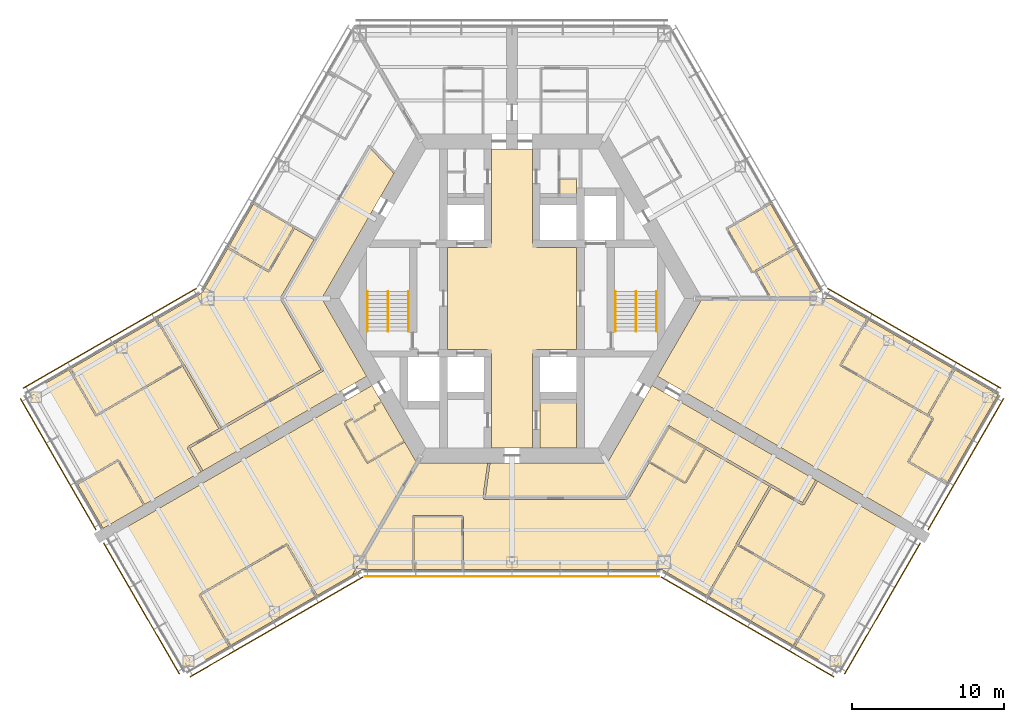
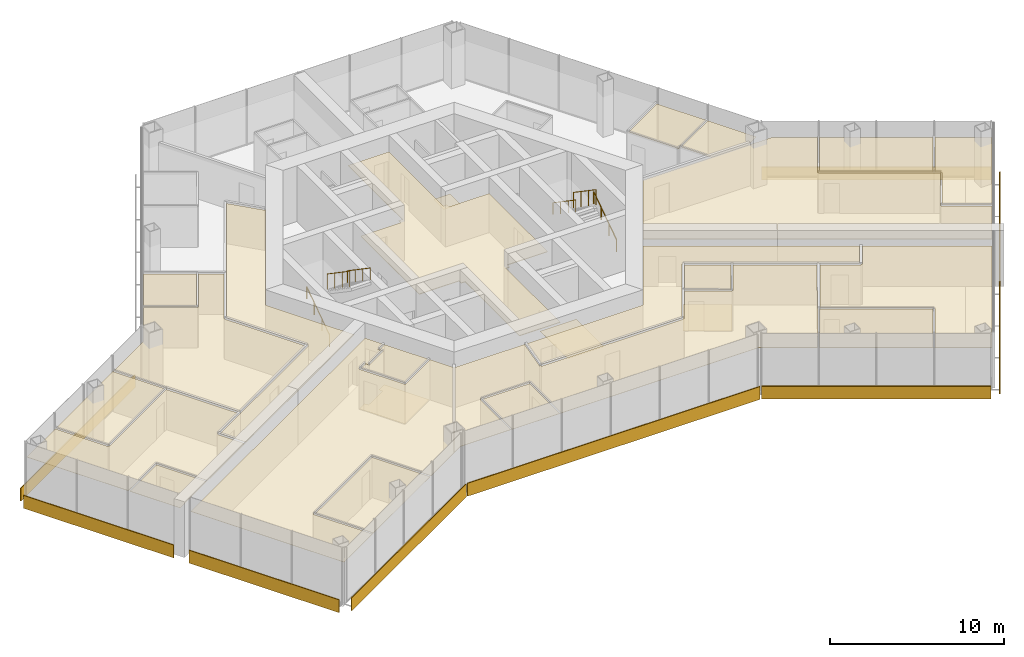
# One storey, part 17 of 18: 25 coverings, 9 shading devices, 6 railings.
"""IFC4 building model written with IfcOpenShell, lengths in metres."""

from ifc_helpers import new_model, si_unit, direction, frame, origin, origin_2d, place, context, subcontext, project, spatial, polyline, rectangle, circle, outline, extrude, material, layer, layer_set, type_object, element, save


model = new_model("IFC4")

# Units and contexts
model_context = context("Model", 3, precision=1e-05, world=origin(), true_north=direction((0.0, 1.0)))
body_context = subcontext(model_context, "Body", "Model", "MODEL_VIEW")
ifc_project = project(units=[si_unit("LENGTHUNIT", "METRE"), si_unit("AREAUNIT", "SQUARE_METRE"), si_unit("VOLUMEUNIT", "CUBIC_METRE"), si_unit("PLANEANGLEUNIT", "RADIAN"), si_unit("MASSUNIT", "GRAM", prefix="KILO")], contexts=[model_context])

# Site, building, storey
site_placement = place(None, origin())
site = spatial("IfcSite", under=ifc_project, at=site_placement, CompositionType="ELEMENT")
building_placement = place(site_placement, origin())
building = spatial("IfcBuilding", under=site, at=building_placement, Name="Kasaneha Research Tower", CompositionType="ELEMENT")
storey_placement = place(building_placement, frame((0.0, 0.0, 133.10009765625)))
storey = spatial("IfcBuildingStorey", under=building, at=storey_placement, Name="L33", CompositionType="ELEMENT", Elevation=133.10009765625)

# Covering
ifc_material_1 = material(Name="Aluminium panel ceiling", Category="aluminium")
ifc_layer_1 = layer(ifc_material_1, 0.0400390625)
ifc_layer_set_1 = layer_set([ifc_layer_1], Name="Lift lobby ceiling 40")
covering_type_1 = type_object("IfcCoveringType", Name="Lift lobby ceiling 40", PredefinedType="CEILING", material=ifc_layer_set_1)
covering_1_placement = place(storey_placement, frame((0.0, 0.0, 2.699951171875)))
element("IfcCovering", 1, at=covering_1_placement, inside=storey, type_object=covering_type_1, Name="Ceiling L33-01", PredefinedType="CEILING", context=body_context, shape_type="SweptSolid", body=[
    extrude(outline(polyline([(1.35009765625, 9.824951171875), (1.35009765625, 3.60009765625), (1.60009765625, 3.60009765625), (1.60009765625, 3.35009765625), (4.25, 3.35009765625), (4.25, -3.35009765625), (1.60009765625, -3.35009765625), (1.60009765625, -3.60009765625), (1.35009765625, -3.60009765625), (1.35009765625, -9.824951171875), (-1.35009765625, -9.824951171875), (-1.35009765625, -3.60009765625), (-1.60009765625, -3.60009765625), (-1.60009765625, -3.35009765625), (-4.25, -3.35009765625), (-4.25, 3.35009765625), (-1.60009765625, 3.35009765625), (-1.60009765625, 3.60009765625), (-1.35009765625, 3.60009765625), (-1.35009765625, 9.824951171875), (1.35009765625, 9.824951171875)])), origin(), (0.0, 0.0, 1.0), 0.0400390625),
])

# Railings
ifc_material_2 = material(Name="Steel", Category="steel")
railing_type_1 = type_object("IfcRailingType", Name="Stair balustrade 1100", PredefinedType="GUARDRAIL", material=ifc_material_2)
for number, where, name in (
    (2, (8.14990234375, 0.449951171875, 2.127197265625), "Stair 1 balustrade L33"),
    (3, (-8.14990234375, 0.449951171875, 2.127197265625), "Stair 2 balustrade L33"),
):
    element("IfcRailing", number, at=place(storey_placement, frame(where)), inside=storey, type_object=railing_type_1, Name=name, PredefinedType="GUARDRAIL", context=body_context, shape_type="SweptSolid", body=[
        extrude(circle(Radius=0.02392578125, at=origin_2d()), frame((0.0, 0.0, 1.076171875), z_axis=(0.0, -0.826215852431, 0.563353676824), x_axis=(1.0, 0.0, 0.0)), (0.0, 0.0, 1.0), 3.146728515625),
        extrude(circle(Radius=0.02099609375, at=origin_2d()), origin(), (0.0, 0.0, 1.0), 1.052001953125),
        extrude(circle(Radius=0.02099609375, at=origin_2d()), frame((0.0, -0.86669921875, 0.5908203125)), (0.0, 0.0, 1.0), 1.052001953125),
        extrude(circle(Radius=0.02099609375, at=origin_2d()), frame((0.0, -1.733154296875, 1.181884765625)), (0.0, 0.0, 1.0), 1.052001953125),
        extrude(circle(Radius=0.02099609375, at=origin_2d()), frame((0.0, -2.599853515625, 1.772705078125)), (0.0, 0.0, 1.0), 1.052001953125),
    ])
ifc_material_3 = material(Name="Steel", Category="steel")
railing_type_2 = type_object("IfcRailingType", Name="Stair handrail 850", PredefinedType="HANDRAIL", material=ifc_material_3)
railing_1_placement = place(storey_placement, frame((9.5, -2.14990234375, 0.17724609375)))
element("IfcRailing", 4, at=railing_1_placement, inside=storey, type_object=railing_type_2, Name="Stair 1 handrail L33", PredefinedType="HANDRAIL", context=body_context, shape_type="SweptSolid", body=[
    extrude(circle(Radius=0.02392578125, at=origin_2d()), frame((0.0, 0.0, 0.826171875), z_axis=(0.0, 0.826215852431, 0.563353676824), x_axis=(-1.0, 0.0, 0.0)), (0.0, 0.0, 1.0), 3.146728515625),
    extrude(circle(Radius=0.02099609375, at=origin_2d()), origin(), (0.0, 0.0, 1.0), 0.802001953125),
    extrude(circle(Radius=0.02099609375, at=origin_2d()), frame((0.0, 0.86669921875, 0.5908203125)), (0.0, 0.0, 1.0), 0.802001953125),
    extrude(circle(Radius=0.02099609375, at=origin_2d()), frame((0.0, 1.733154296875, 1.181884765625)), (0.0, 0.0, 1.0), 0.802001953125),
    extrude(circle(Radius=0.02099609375, at=origin_2d()), frame((0.0, 2.599853515625, 1.772705078125)), (0.0, 0.0, 1.0), 0.802001953125),
])
railing_2_placement = place(storey_placement, frame((6.800048828125, 0.449951171875, 2.127197265625)))
element("IfcRailing", 5, at=railing_2_placement, inside=storey, type_object=railing_type_2, Name="Stair 1 handrail L33", PredefinedType="HANDRAIL", context=body_context, shape_type="SweptSolid", body=[
    extrude(circle(Radius=0.02392578125, at=origin_2d()), frame((0.0, 0.0, 0.826171875), z_axis=(0.0, -0.826215852431, 0.563353676824), x_axis=(1.0, 0.0, 0.0)), (0.0, 0.0, 1.0), 3.146728515625),
    extrude(circle(Radius=0.02099609375, at=origin_2d()), origin(), (0.0, 0.0, 1.0), 0.802001953125),
    extrude(circle(Radius=0.02099609375, at=origin_2d()), frame((0.0, -0.86669921875, 0.5908203125)), (0.0, 0.0, 1.0), 0.802001953125),
    extrude(circle(Radius=0.02099609375, at=origin_2d()), frame((0.0, -1.733154296875, 1.181884765625)), (0.0, 0.0, 1.0), 0.802001953125),
    extrude(circle(Radius=0.02099609375, at=origin_2d()), frame((0.0, -2.599853515625, 1.772705078125)), (0.0, 0.0, 1.0), 0.802001953125),
])
railing_3_placement = place(storey_placement, frame((-9.5, -2.14990234375, 0.17724609375)))
element("IfcRailing", 6, at=railing_3_placement, inside=storey, type_object=railing_type_2, Name="Stair 2 handrail L33", PredefinedType="HANDRAIL", context=body_context, shape_type="SweptSolid", body=[
    extrude(circle(Radius=0.02392578125, at=origin_2d()), frame((0.0, 0.0, 0.826171875), z_axis=(0.0, 0.826215852431, 0.563353676824), x_axis=(-1.0, 0.0, 0.0)), (0.0, 0.0, 1.0), 3.146728515625),
    extrude(circle(Radius=0.02099609375, at=origin_2d()), origin(), (0.0, 0.0, 1.0), 0.802001953125),
    extrude(circle(Radius=0.02099609375, at=origin_2d()), frame((0.0, 0.86669921875, 0.5908203125)), (0.0, 0.0, 1.0), 0.802001953125),
    extrude(circle(Radius=0.02099609375, at=origin_2d()), frame((0.0, 1.733154296875, 1.181884765625)), (0.0, 0.0, 1.0), 0.802001953125),
    extrude(circle(Radius=0.02099609375, at=origin_2d()), frame((0.0, 2.599853515625, 1.772705078125)), (0.0, 0.0, 1.0), 0.802001953125),
])
railing_4_placement = place(storey_placement, frame((-6.800048828125, 0.449951171875, 2.127197265625)))
element("IfcRailing", 7, at=railing_4_placement, inside=storey, type_object=railing_type_2, Name="Stair 2 handrail L33", PredefinedType="HANDRAIL", context=body_context, shape_type="SweptSolid", body=[
    extrude(circle(Radius=0.02392578125, at=origin_2d()), frame((0.0, 0.0, 0.826171875), z_axis=(0.0, -0.826215852431, 0.563353676824), x_axis=(1.0, 0.0, 0.0)), (0.0, 0.0, 1.0), 3.146728515625),
    extrude(circle(Radius=0.02099609375, at=origin_2d()), origin(), (0.0, 0.0, 1.0), 0.802001953125),
    extrude(circle(Radius=0.02099609375, at=origin_2d()), frame((0.0, -0.86669921875, 0.5908203125)), (0.0, 0.0, 1.0), 0.802001953125),
    extrude(circle(Radius=0.02099609375, at=origin_2d()), frame((0.0, -1.733154296875, 1.181884765625)), (0.0, 0.0, 1.0), 0.802001953125),
    extrude(circle(Radius=0.02099609375, at=origin_2d()), frame((0.0, -2.599853515625, 1.772705078125)), (0.0, 0.0, 1.0), 0.802001953125),
])

# Coverings
ifc_material_4 = material(Name="Gypsum ceiling board", Category="gypsum")
ifc_layer_2 = layer(ifc_material_4, 0.02001953125)
ifc_layer_set_2 = layer_set([ifc_layer_2], Name="Suspended ceiling 20")
covering_type_2 = type_object("IfcCoveringType", Name="Suspended ceiling 20", PredefinedType="CEILING", material=ifc_layer_set_2)
covering_2_placement = place(storey_placement, frame((0.0, 0.0, 2.7998046875)))
element("IfcCovering", 8, at=covering_2_placement, inside=storey, type_object=covering_type_2, Name="Ceiling L33-29", PredefinedType="CEILING", context=body_context, shape_type="SweptSolid", body=[
    extrude(outline(polyline([(18.65869140625, 3.323486328125), (18.64111328125, 3.3134765625), (18.6162109375, 3.356689453125), (15.944580078125, 1.814208984375), (15.969482421875, 1.77099609375), (15.9521484375, 1.7607421875), (15.9345703125, 1.750732421875), (15.9345703125, 1.750732421875), (15.843994140625, 1.698486328125), (14.18212890625, 4.576904296875), (16.99658203125, 6.201904296875), (18.65869140625, 3.323486328125)])), origin(), (0.0, 0.0, 1.0), 0.02001953125),
])
covering_3_placement = place(storey_placement, frame((0.0, 0.0, 2.7998046875)))
element("IfcCovering", 9, at=covering_3_placement, inside=storey, type_object=covering_type_2, Name="Ceiling L33-30", PredefinedType="CEILING", context=body_context, shape_type="SweptSolid", body=[
    extrude(outline(polyline([(16.997802734375, 0.0), (16.986328125, 0.02001953125), (17.029541015625, 0.044921875), (16.0458984375, 1.75732421875), (18.666259765625, 3.27001953125), (18.64111328125, 3.3134765625), (18.65869140625, 3.323486328125), (20.28759765625, 0.501708984375), (19.41845703125, 0.0), (16.997802734375, 0.0)])), origin(), (0.0, 0.0, 1.0), 0.02001953125),
])
covering_4_placement = place(storey_placement, frame((0.0, 0.0, 2.7998046875)))
element("IfcCovering", 10, at=covering_4_placement, inside=storey, type_object=covering_type_2, Name="Ceiling L33-35", PredefinedType="CEILING", context=body_context, shape_type="SweptSolid", body=[
    extrude(outline(polyline([(-9.5498046875, -5.109375), (-10.3291015625, -5.559326171875), (-10.3291015625, -5.559326171875), (-20.37109375, -11.357177734375), (-20.381103515625, -11.33984375), (-20.316162109375, -11.30224609375), (-21.168701171875, -9.82568359375), (-19.134033203125, -8.651123046875), (-19.134033203125, -8.651123046875), (-12.404052734375, -4.765380859375), (-12.441650390625, -4.700439453125), (-12.376708984375, -4.6630859375), (-15.06884765625, 0.0), (-12.8427734375, 3.855712890625), (-12.8427734375, 3.855712890625), (-9.345947265625, 9.912353515625), (-7.7890625, 8.24267578125), (-7.734130859375, 8.2939453125), (-7.719970703125, 8.278564453125), (-12.49951171875, 0.0), (-9.5498046875, -5.109375)])), origin(), (0.0, 0.0, 1.0), 0.02001953125),
])
covering_5_placement = place(storey_placement, frame((0.0, 0.0, 2.7998046875)))
element("IfcCovering", 11, at=covering_5_placement, inside=storey, type_object=covering_type_2, Name="Ceiling L33-36", PredefinedType="CEILING", context=body_context, shape_type="SweptSolid", body=[
    extrude(outline(polyline([(-23.34228515625, -1.352294921875), (-23.332275390625, -1.36962890625), (-23.37548828125, -1.39453125), (-21.666748046875, -4.363525390625), (-27.306640625, -7.624755859375), (-29.03173828125, -4.636962890625), (-23.34228515625, -1.352294921875)])), origin(), (0.0, 0.0, 1.0), 0.02001953125),
])
covering_6_placement = place(storey_placement, frame((0.0, 0.0, 2.7998046875)))
element("IfcCovering", 12, at=covering_6_placement, inside=storey, type_object=covering_type_2, Name="Ceiling L33-38", PredefinedType="CEILING", context=body_context, shape_type="SweptSolid", body=[
    extrude(outline(polyline([(-16.99658203125, 6.201904296875), (-14.361572265625, 4.675048828125), (-15.9921875, 1.841796875), (-18.6162109375, 3.356689453125), (-18.64111328125, 3.3134765625), (-18.65869140625, 3.323486328125), (-16.99658203125, 6.201904296875)])), origin(), (0.0, 0.0, 1.0), 0.02001953125),
])
covering_7_placement = place(storey_placement, frame((0.0, 0.0, 2.7998046875)))
element("IfcCovering", 13, at=covering_7_placement, inside=storey, type_object=covering_type_2, Name="Ceiling L33-39", PredefinedType="CEILING", context=body_context, shape_type="SweptSolid", body=[
    extrude(outline(polyline([(-28.532958984375, -12.220458984375), (-25.8916015625, -10.6953125), (-24.235107421875, -13.564697265625), (-24.191650390625, -13.539794921875), (-24.181640625, -13.55712890625), (-26.866455078125, -15.107177734375), (-28.532958984375, -12.220458984375)])), origin(), (0.0, 0.0, 1.0), 0.02001953125),
])
covering_8_placement = place(storey_placement, frame((0.0, 0.0, 2.7998046875)))
element("IfcCovering", 14, at=covering_8_placement, inside=storey, type_object=covering_type_2, Name="Ceiling L33-40", PredefinedType="CEILING", context=body_context, shape_type="SweptSolid", body=[
    extrude(outline(polyline([(-15.15576171875, -0.000244140625), (-15.220458984375, -0.03759765625), (-12.5439453125, -4.673095703125), (-19.135498046875, -8.478759765625), (-21.529296875, -4.341796875), (-21.55517578125, -4.356689453125), (-23.288818359375, -1.3447265625), (-23.331787109375, -1.369384765625), (-23.341796875, -1.35205078125), (-20.365966796875, 0.365966796875), (-18.658935546875, 3.322998046875), (-18.641357421875, 3.31298828125), (-18.666259765625, 3.27001953125), (-15.9990234375, 1.72998046875), (-15.97412109375, 1.77294921875), (-15.973876953125, 1.77294921875), (-15.9736328125, 1.773193359375), (-15.9306640625, 1.74853515625), (-14.287353515625, 4.603271484375), (-13.01025390625, 3.86572265625), (-15.220458984375, 0.03759765625), (-15.15576171875, 0.000244140625), (-15.156005859375, 0.0), (-15.15576171875, -0.000244140625)])), origin(), (0.0, 0.0, 1.0), 0.02001953125),
])
covering_9_placement = place(storey_placement, frame((0.0, 0.0, 2.7998046875)))
element("IfcCovering", 15, at=covering_9_placement, inside=storey, type_object=covering_type_2, Name="Ceiling L33-41", PredefinedType="CEILING", context=body_context, shape_type="SweptSolid", body=[
    extrude(outline(polyline([(-21.271484375, -9.79833984375), (-21.336181640625, -9.835693359375), (-20.446044921875, -11.377197265625), (-20.381591796875, -11.340087890625), (-20.37158203125, -11.357421875), (-23.14501953125, -12.958740234375), (-24.18115234375, -13.556884765625), (-24.191162109375, -13.53955078125), (-24.1484375, -13.514892578125), (-25.830078125, -10.60205078125), (-25.873046875, -10.626953125), (-25.873291015625, -10.626708984375), (-25.87353515625, -10.626708984375), (-25.898193359375, -10.583740234375), (-28.5830078125, -12.1337890625), (-31.94140625, -6.31689453125), (-29.1181640625, -4.68701171875), (-27.368408203125, -7.71826171875), (-27.3251953125, -7.693359375), (-27.324951171875, -7.693603515625), (-27.32470703125, -7.693603515625), (-27.300048828125, -7.736572265625), (-21.634033203125, -4.460205078125), (-19.265380859375, -8.5537109375), (-21.30859375, -9.7333984375), (-21.271484375, -9.798095703125), (-21.271728515625, -9.798095703125), (-21.271484375, -9.79833984375)])), origin(), (0.0, 0.0, 1.0), 0.02001953125),
])
covering_10_placement = place(storey_placement, frame((0.0, 0.0, 2.7998046875)))
element("IfcCovering", 16, at=covering_10_placement, inside=storey, type_object=covering_type_2, Name="Ceiling L33-43", PredefinedType="CEILING", context=body_context, shape_type="SweptSolid", body=[
    extrude(outline(polyline([(-18.574951171875, -22.8486328125), (-18.5849609375, -22.831298828125), (-18.541748046875, -22.806396484375), (-20.456787109375, -19.489501953125), (-14.810546875, -16.2294921875), (-12.885498046875, -19.563720703125), (-18.574951171875, -22.8486328125)])), origin(), (0.0, 0.0, 1.0), 0.02001953125),
])
covering_11_placement = place(storey_placement, frame((0.0, 0.0, 2.7998046875)))
element("IfcCovering", 17, at=covering_11_placement, inside=storey, type_object=covering_type_2, Name="Ceiling L33-44", PredefinedType="CEILING", context=body_context, shape_type="SweptSolid", body=[
    extrude(outline(polyline([(-10.35498046875, -8.11474609375), (-10.35498046875, -8.11474609375), (-10.330078125, -8.157958984375), (-8.9443359375, -7.35791015625), (-8.994384765625, -7.271240234375), (-8.994384765625, -7.271240234375), (-9.09423828125, -7.09814453125), (-9.09423828125, -7.09814453125), (-9.0693359375, -7.141357421875), (-8.56689453125, -6.851318359375), (-8.592041015625, -6.80810546875), (-8.57470703125, -6.798095703125), (-7.07470703125, -9.396240234375), (-7.092041015625, -9.40625), (-7.116943359375, -9.36279296875), (-9.481201171875, -10.727783203125), (-10.931396484375, -8.21630859375), (-10.455078125, -7.94140625), (-10.35498046875, -8.11474609375)])), origin(), (0.0, 0.0, 1.0), 0.02001953125),
])
covering_12_placement = place(storey_placement, frame((0.0, 0.0, 2.7998046875)))
element("IfcCovering", 18, at=covering_12_placement, inside=storey, type_object=covering_type_2, Name="Ceiling L33-45", PredefinedType="CEILING", context=body_context, shape_type="SweptSolid", body=[
    extrude(outline(polyline([(-9.979248046875, -6.16552734375), (-9.979248046875, -6.16552734375), (-9.19970703125, -5.715576171875), (-8.574951171875, -6.797607421875), (-8.59228515625, -6.8076171875), (-8.616943359375, -6.764892578125), (-9.119384765625, -7.0546875), (-9.094482421875, -7.09765625), (-9.0947265625, -7.097900390625), (-8.99462890625, -7.271484375), (-10.379638671875, -8.071044921875), (-10.47998046875, -7.897705078125), (-10.480224609375, -7.897705078125), (-10.5048828125, -7.854736328125), (-11.024658203125, -8.15478515625), (-10.999755859375, -8.19775390625), (-11.0, -8.197998046875), (-11.0, -8.1982421875), (-11.04296875, -8.22314453125), (-9.54296875, -10.8212890625), (-9.5, -10.79638671875), (-9.5, -10.796630859375), (-9.49951171875, -10.79638671875), (-9.474609375, -10.839599609375), (-7.06689453125, -9.449462890625), (-7.091796875, -9.40673828125), (-7.074462890625, -9.396728515625), (-6.249755859375, -10.824951171875), (-10.5, -18.1865234375), (-12.798828125, -19.513916015625), (-14.748779296875, -16.13623046875), (-14.792236328125, -16.161376953125), (-14.817138671875, -16.117919921875), (-20.550048828125, -19.427734375), (-20.525146484375, -19.470703125), (-20.525390625, -19.470703125), (-20.525146484375, -19.47119140625), (-20.568359375, -19.49609375), (-18.62841796875, -22.856201171875), (-18.58544921875, -22.83154296875), (-18.575439453125, -22.848876953125), (-21.44140625, -24.50341796875), (-26.516357421875, -15.71337890625), (-10.84521484375, -6.66552734375), (-10.84521484375, -6.66552734375), (-9.979248046875, -6.16552734375)])), origin(), (0.0, 0.0, 1.0), 0.02001953125),
])
covering_13_placement = place(storey_placement, frame((0.0, 0.0, 2.7998046875)))
element("IfcCovering", 19, at=covering_13_placement, inside=storey, type_object=covering_type_2, Name="Ceiling L33-46", PredefinedType="CEILING", context=body_context, shape_type="SweptSolid", body=[
    extrude(outline(polyline([(29.03173828125, -4.63720703125), (27.303955078125, -7.61865234375), (21.660400390625, -4.364990234375), (23.37548828125, -1.39453125), (23.332275390625, -1.36962890625), (23.34228515625, -1.352294921875), (29.03173828125, -4.63720703125)])), origin(), (0.0, 0.0, 1.0), 0.02001953125),
])
covering_14_placement = place(storey_placement, frame((0.0, 0.0, 2.7998046875)))
element("IfcCovering", 20, at=covering_14_placement, inside=storey, type_object=covering_type_2, Name="Ceiling L33-47", PredefinedType="CEILING", context=body_context, shape_type="SweptSolid", body=[
    extrude(outline(polyline([(31.941650390625, -6.316650390625), (28.5830078125, -12.1337890625), (26.11474609375, -10.708740234375), (27.721923828125, -7.92333984375), (27.678466796875, -7.8984375), (27.7041015625, -7.85546875), (27.390380859375, -7.669189453125), (29.118408203125, -4.68701171875), (31.941650390625, -6.316650390625)])), origin(), (0.0, 0.0, 1.0), 0.02001953125),
])
covering_15_placement = place(storey_placement, frame((0.0, 0.0, 2.7998046875)))
element("IfcCovering", 21, at=covering_15_placement, inside=storey, type_object=covering_type_2, Name="Ceiling L33-48", PredefinedType="CEILING", context=body_context, shape_type="SweptSolid", body=[
    extrude(outline(polyline([(9.5498046875, -5.109375), (12.49951171875, 0.0), (16.93994140625, 0.0), (16.94287109375, -0.0048828125), (16.951416015625, 0.0), (21.0, 0.0), (23.341796875, -1.35205078125), (23.331787109375, -1.369384765625), (23.288818359375, -1.344482421875), (21.548828125, -4.3583984375), (21.592041015625, -4.38330078125), (21.591796875, -4.383544921875), (21.592041015625, -4.3837890625), (21.567138671875, -4.4267578125), (27.302001953125, -7.73291015625), (27.302001953125, -7.73291015625), (27.610595703125, -7.916259765625), (26.003173828125, -10.7021484375), (26.046142578125, -10.726806640625), (26.046142578125, -10.72705078125), (26.04638671875, -10.727294921875), (26.021484375, -10.7705078125), (28.532958984375, -12.220458984375), (26.866455078125, -15.107177734375), (14.286376953125, -7.843994140625), (10.3291015625, -5.559326171875), (10.3291015625, -5.559326171875), (9.5498046875, -5.109375)])), origin(), (0.0, 0.0, 1.0), 0.02001953125),
])
covering_16_placement = place(storey_placement, frame((0.0, 0.0, 2.7998046875)))
element("IfcCovering", 22, at=covering_16_placement, inside=storey, type_object=covering_type_2, Name="Ceiling L33-49", PredefinedType="CEILING", context=body_context, shape_type="SweptSolid", body=[
    extrude(outline(polyline([(10.29150390625, -8.424560546875), (10.2265625, -8.386962890625), (8.90380859375, -10.677978515625), (8.90380859375, -10.677978515625), (7.534423828125, -13.050048828125), (-1.75830078125, -13.050048828125), (-1.449951171875, -10.85546875), (-1.524169921875, -10.844970703125), (-1.521240234375, -10.824951171875), (6.249755859375, -10.824951171875), (9.19970703125, -5.715576171875), (9.979248046875, -6.16552734375), (9.979248046875, -6.16552734375), (10.84521484375, -6.66552734375), (10.84521484375, -6.66552734375), (20.021240234375, -11.96337890625), (20.01123046875, -11.980712890625), (19.9462890625, -11.943115234375), (19.09375, -13.419677734375), (17.05029296875, -12.239990234375), (17.05029296875, -12.239990234375), (12.75, -9.75732421875), (12.75, -9.75732421875), (10.3291015625, -8.359619140625), (10.29150390625, -8.424560546875), (10.29150390625, -8.424560546875), (10.29150390625, -8.424560546875)])), origin(), (0.0, 0.0, 1.0), 0.02001953125),
])
covering_17_placement = place(storey_placement, frame((0.0, 0.0, 2.7998046875)))
element("IfcCovering", 23, at=covering_17_placement, inside=storey, type_object=covering_type_2, Name="Ceiling L33-50", PredefinedType="CEILING", context=body_context, shape_type="SweptSolid", body=[
    extrude(outline(polyline([(10.319091796875, -8.52685546875), (12.6318359375, -9.8623046875), (11.373291015625, -12.051025390625), (9.058837890625, -10.7099609375), (10.319091796875, -8.52685546875)])), origin(), (0.0, 0.0, 1.0), 0.02001953125),
])
covering_18_placement = place(storey_placement, frame((0.0, 0.0, 2.7998046875)))
element("IfcCovering", 24, at=covering_18_placement, inside=storey, type_object=covering_type_2, Name="Ceiling L33-51", PredefinedType="CEILING", context=body_context, shape_type="SweptSolid", body=[
    extrude(outline(polyline([(-6.492919921875, -17.820556640625), (-6.492919921875, -17.800537109375), (-6.44287109375, -17.800537109375), (-6.44287109375, -14.37060546875), (-3.29638671875, -14.37060546875), (-3.29638671875, -17.800537109375), (-3.246337890625, -17.800537109375), (-3.246337890625, -17.820556640625), (-6.492919921875, -17.820556640625)])), origin(), (0.0, 0.0, 1.0), 0.02001953125),
])
covering_19_placement = place(storey_placement, frame((0.0, 0.0, 2.7998046875)))
element("IfcCovering", 25, at=covering_19_placement, inside=storey, type_object=covering_type_2, Name="Ceiling L33-52", PredefinedType="CEILING", context=body_context, shape_type="SweptSolid", body=[
    extrude(outline(polyline([(12.885498046875, -19.563720703125), (14.812255859375, -16.23583984375), (20.456787109375, -19.489501953125), (18.541748046875, -22.806396484375), (18.5849609375, -22.831298828125), (18.574951171875, -22.8486328125), (12.885498046875, -19.563720703125)])), origin(), (0.0, 0.0, 1.0), 0.02001953125),
])
covering_20_placement = place(storey_placement, frame((0.0, 0.0, 2.7998046875)))
element("IfcCovering", 26, at=covering_20_placement, inside=storey, type_object=covering_type_2, Name="Ceiling L33-53", PredefinedType="CEILING", context=body_context, shape_type="SweptSolid", body=[
    extrude(outline(polyline([(-3.246337890625, -14.320068359375), (-3.246337890625, -14.2705078125), (-6.492919921875, -14.2705078125), (-6.492919921875, -14.320068359375), (-6.492919921875, -14.320068359375), (-6.492919921875, -14.320556640625), (-6.542724609375, -14.320556640625), (-6.542724609375, -17.800537109375), (-6.493408203125, -17.800537109375), (-6.493408203125, -17.820556640625), (-9.865966796875, -17.820556640625), (-10.5, -18.1865234375), (-6.249755859375, -10.824951171875), (-1.52197265625, -10.824951171875), (-1.524658203125, -10.844970703125), (-1.598388671875, -10.83447265625), (-1.9189453125, -13.114501953125), (-1.8447265625, -13.125), (-1.8447265625, -13.12548828125), (-1.844482421875, -13.12548828125), (-1.844482421875, -13.199951171875), (7.57763671875, -13.199951171875), (7.57763671875, -13.12548828125), (7.577880859375, -13.12548828125), (7.577880859375, -13.125244140625), (7.642578125, -13.16259765625), (9.0087890625, -10.79638671875), (11.366455078125, -12.16259765625), (11.391357421875, -12.11962890625), (11.3916015625, -12.119873046875), (11.391845703125, -12.11962890625), (11.434814453125, -12.144287109375), (12.718505859375, -9.912109375), (16.910400390625, -12.33251953125), (14.724609375, -16.127685546875), (14.750732421875, -16.142578125), (12.798828125, -19.513916015625), (9.865966796875, -17.820556640625), (-3.245849609375, -17.820556640625), (-3.245849609375, -17.800537109375), (-3.1962890625, -17.800537109375), (-3.1962890625, -14.320556640625), (-3.24609375, -14.320556640625), (-3.24609375, -14.320068359375), (-3.246337890625, -14.320068359375)])), origin(), (0.0, 0.0, 1.0), 0.02001953125),
])
covering_21_placement = place(storey_placement, frame((0.0, 0.0, 2.7998046875)))
element("IfcCovering", 27, at=covering_21_placement, inside=storey, type_object=covering_type_2, Name="Ceiling L33-54", PredefinedType="CEILING", context=body_context, shape_type="SweptSolid", body=[
    extrude(outline(polyline([(19.121337890625, -13.522216796875), (19.18603515625, -13.559814453125), (20.076171875, -12.018310546875), (20.011474609375, -11.98095703125), (20.021484375, -11.963623046875), (26.516357421875, -15.71337890625), (21.44140625, -24.50341796875), (18.575439453125, -22.848876953125), (18.58544921875, -22.83154296875), (18.62841796875, -22.856201171875), (20.568359375, -19.49609375), (20.525146484375, -19.47119140625), (20.525390625, -19.470703125), (20.525146484375, -19.470703125), (20.550048828125, -19.427734375), (14.879638671875, -16.1591796875), (17.040283203125, -12.407470703125), (19.083740234375, -13.587158203125), (19.12109375, -13.522705078125), (19.12109375, -13.522705078125), (19.121337890625, -13.522216796875)])), origin(), (0.0, 0.0, 1.0), 0.02001953125),
])

# Shading devices
ifc_material_5 = material(Name="Terracotta", Category="masonry")
ifc_layer_3 = layer(ifc_material_5, 0.06005859375)
ifc_layer_set_3 = layer_set([ifc_layer_3], Name="Terracotta baguette screen")
shading_device_type = type_object("IfcShadingDeviceType", Name="Terracotta baguette screen", PredefinedType="USERDEFINED", material=ifc_layer_set_3)
shading_device_1_placement = place(storey_placement, frame((0.0, -18.2705078125, -0.449951171875), z_axis=(0.0, 0.0, 1.0), x_axis=(1.0, 0.0, 0.0)))
element("IfcShadingDevice", 28, at=shading_device_1_placement, inside=storey, type_object=shading_device_type, Name="Baguette screen L33 01", ObjectType="TERRACOTTA BAGUETTE SCREEN", PredefinedType="USERDEFINED", context=body_context, shape_type="SweptSolid", body=[
    extrude(rectangle(XDim=19.37841796875, YDim=0.06005859375, at=origin_2d()), origin(), (0.0, 0.0, 1.0), 0.89990234375),
])
shading_device_2_placement = place(storey_placement, frame((15.483642578125, -21.58349609375, -0.449951171875), z_axis=(0.0, 0.0, 1.0), x_axis=(0.866025411464, -0.499999986699, 0.0)))
element("IfcShadingDevice", 29, at=shading_device_2_placement, inside=storey, type_object=shading_device_type, Name="Baguette screen L33 02", ObjectType="TERRACOTTA BAGUETTE SCREEN", PredefinedType="USERDEFINED", context=body_context, shape_type="SweptSolid", body=[
    extrude(rectangle(XDim=13.13916015625, YDim=0.06005859375, at=origin_2d()), origin(), (0.0, 0.0, 1.0), 0.89990234375),
])
for number, where, z_axis, x_axis, name in (
    (30, (24.343505859375, -20.376708984375, -0.449951171875), (0.0, 0.0, 1.0), (0.500000011442, 0.866025397178, 0.0), "Baguette screen L33 03"),
    (31, (29.818603515625, -10.893798828125, -0.449951171875), (0.0, 0.0, 1.0), (0.500000011442, 0.866025397178, 0.0), "Baguette screen L33 04"),
):
    element("IfcShadingDevice", number, at=place(storey_placement, frame(where, z_axis=z_axis, x_axis=x_axis)), inside=storey, type_object=shading_device_type, Name=name, ObjectType="TERRACOTTA BAGUETTE SCREEN", PredefinedType="USERDEFINED", context=body_context, shape_type="SweptSolid", body=[
        extrude(rectangle(XDim=9.949951171875, YDim=0.06005859375, at=origin_2d()), origin(), (0.0, 0.0, 1.0), 0.89990234375),
    ])
for number, where, z_axis, x_axis, name in (
    (32, (26.43359375, -2.617431640625, -0.449951171875), (0.0, 0.0, 1.0), (-0.866025411464, 0.499999986699, 0.0), "Baguette screen L33 05"),
    (33, (-26.43359375, -2.617431640625, -0.449951171875), (0.0, 0.0, 1.0), (-0.866025411464, -0.499999986699, 0.0), "Baguette screen L33 09"),
):
    element("IfcShadingDevice", number, at=place(storey_placement, frame(where, z_axis=z_axis, x_axis=x_axis)), inside=storey, type_object=shading_device_type, Name=name, ObjectType="TERRACOTTA BAGUETTE SCREEN", PredefinedType="USERDEFINED", context=body_context, shape_type="SweptSolid", body=[
        extrude(rectangle(XDim=13.13916015625, YDim=0.06005859375, at=origin_2d()), origin(), (0.0, 0.0, 1.0), 0.89990234375),
    ])
for number, where, z_axis, x_axis, name in (
    (34, (-29.818603515625, -10.893798828125, -0.449951171875), (0.0, 0.0, 1.0), (0.500000011442, -0.866025397178, 0.0), "Baguette screen L33 10"),
    (35, (-24.343505859375, -20.376708984375, -0.449951171875), (0.0, 0.0, 1.0), (0.500000011442, -0.866025397178, 0.0), "Baguette screen L33 11"),
):
    element("IfcShadingDevice", number, at=place(storey_placement, frame(where, z_axis=z_axis, x_axis=x_axis)), inside=storey, type_object=shading_device_type, Name=name, ObjectType="TERRACOTTA BAGUETTE SCREEN", PredefinedType="USERDEFINED", context=body_context, shape_type="SweptSolid", body=[
        extrude(rectangle(XDim=9.949951171875, YDim=0.06005859375, at=origin_2d()), origin(), (0.0, 0.0, 1.0), 0.89990234375),
    ])
shading_device_3_placement = place(storey_placement, frame((-15.483642578125, -21.58349609375, -0.449951171875), z_axis=(0.0, 0.0, 1.0), x_axis=(0.866025411464, 0.499999986699, 0.0)))
element("IfcShadingDevice", 36, at=shading_device_3_placement, inside=storey, type_object=shading_device_type, Name="Baguette screen L33 12", ObjectType="TERRACOTTA BAGUETTE SCREEN", PredefinedType="USERDEFINED", context=body_context, shape_type="SweptSolid", body=[
    extrude(rectangle(XDim=13.13916015625, YDim=0.06005859375, at=origin_2d()), origin(), (0.0, 0.0, 1.0), 0.89990234375),
])

# Coverings
ifc_material_6 = material(Name="Vinyl sheet flooring", Category="plastic")
ifc_layer_4 = layer(ifc_material_6, 0.0048828125)
ifc_layer_set_4 = layer_set([ifc_layer_4], Name="Wet room sheet flooring 5")
covering_type_3 = type_object("IfcCoveringType", Name="Wet room sheet flooring 5", PredefinedType="FLOORING", material=ifc_layer_set_4)
covering_22_placement = place(storey_placement, origin())
element("IfcCovering", 37, at=covering_22_placement, inside=storey, type_object=covering_type_3, Name="Floor finish L33-10", PredefinedType="FLOORING", context=body_context, shape_type="SweptSolid", body=[
    extrude(outline(polyline([(3.14990234375, 6.64990234375), (3.14990234375, 7.81591796875), (4.25, 7.81591796875), (4.25, 7.0), (4.25, 6.64990234375), (3.14990234375, 6.64990234375)])), origin(), (0.0, 0.0, 1.0), 0.0048828125),
])
covering_23_placement = place(storey_placement, origin())
element("IfcCovering", 38, at=covering_23_placement, inside=storey, type_object=covering_type_3, Name="Floor finish L33-13", PredefinedType="FLOORING", context=body_context, shape_type="SweptSolid", body=[
    extrude(outline(polyline([(1.85009765625, -9.824951171875), (1.85009765625, -6.64990234375), (4.25, -6.64990234375), (4.25, -9.824951171875), (1.85009765625, -9.824951171875)])), origin(), (0.0, 0.0, 1.0), 0.0048828125),
])
covering_24_placement = place(storey_placement, origin())
element("IfcCovering", 39, at=covering_24_placement, inside=storey, type_object=covering_type_3, Name="Floor finish L33-44", PredefinedType="FLOORING", context=body_context, shape_type="SweptSolid", body=[
    extrude(outline(polyline([(-10.99951171875, -8.1982421875), (-10.47998046875, -7.898193359375), (-10.35498046875, -8.11474609375), (-8.96923828125, -7.314697265625), (-9.09423828125, -7.09814453125), (-8.57470703125, -6.798095703125), (-7.07470703125, -9.396240234375), (-9.49951171875, -10.796142578125), (-10.99951171875, -8.1982421875)])), origin(), (0.0, 0.0, 1.0), 0.0048828125),
])
covering_25_placement = place(storey_placement, origin())
element("IfcCovering", 40, at=covering_25_placement, inside=storey, type_object=covering_type_3, Name="Floor finish L33-50", PredefinedType="FLOORING", context=body_context, shape_type="SweptSolid", body=[
    extrude(outline(polyline([(11.391357421875, -12.119384765625), (8.966552734375, -10.719482421875), (10.29150390625, -8.424560546875), (12.716552734375, -9.824462890625), (11.391357421875, -12.119384765625)])), origin(), (0.0, 0.0, 1.0), 0.0048828125),
])

save(model, "model.ifc")
